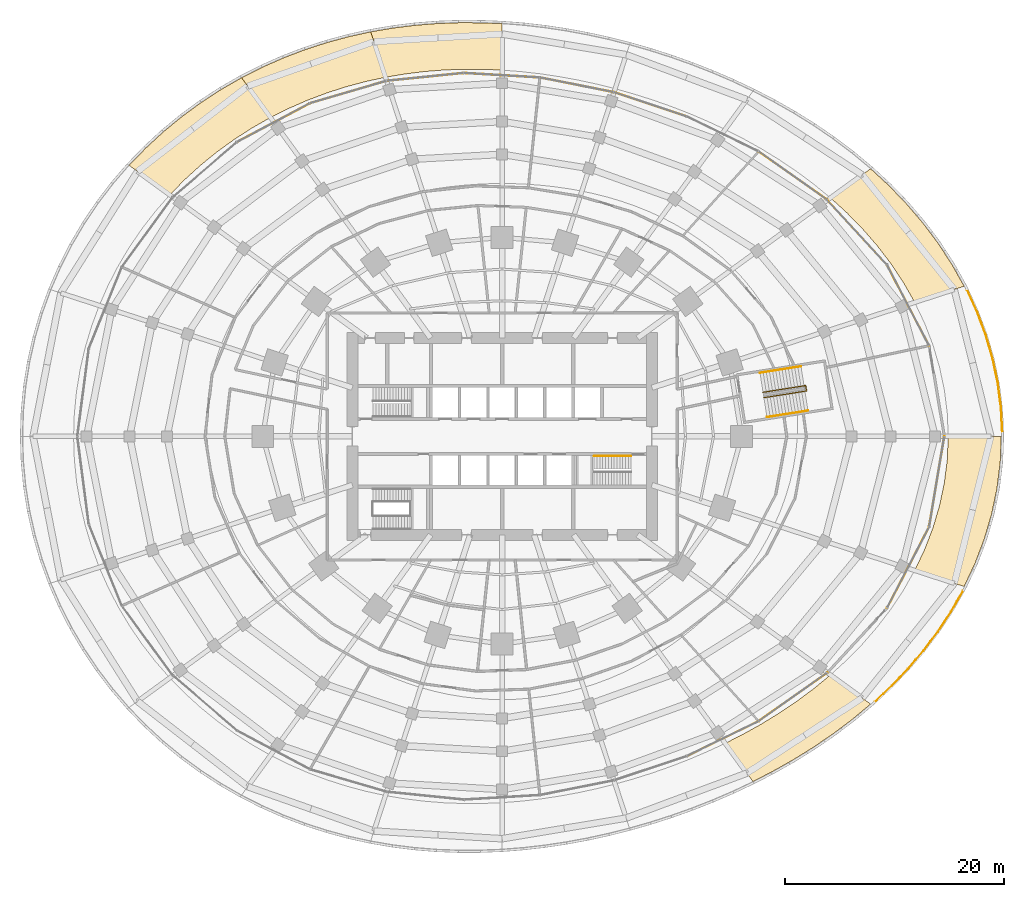
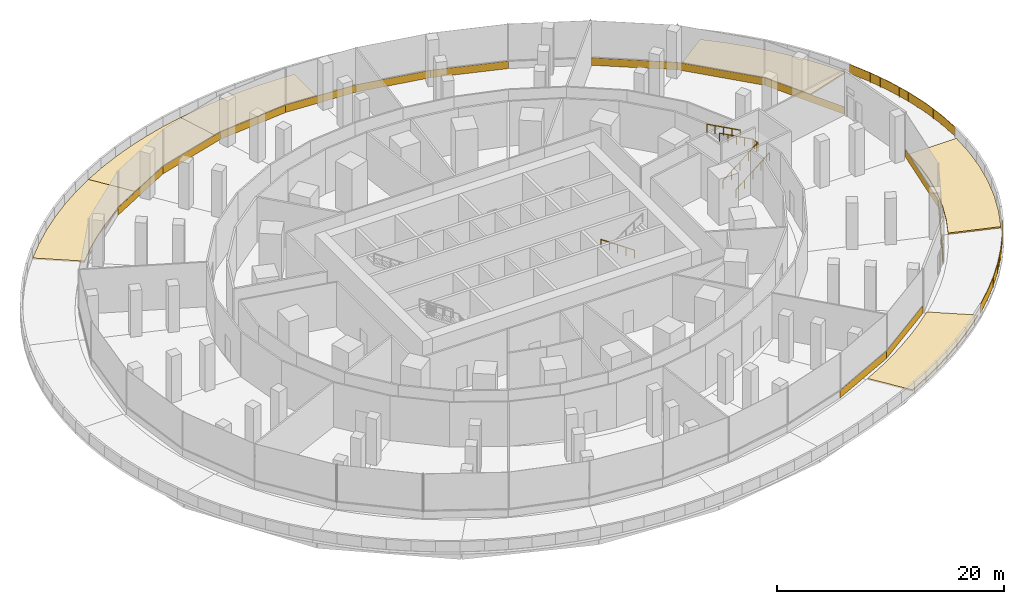
# One storey, part 30 of 31: 19 coverings, 6 railings.
"""IFC4 building model written with IfcOpenShell, lengths in metres."""

from ifc_helpers import new_model, si_unit, direction, frame, origin, origin_2d, place, context, subcontext, project, spatial, polyline, rectangle, circle, outline, extrude, material, layer, layer_set, type_object, element, save


model = new_model("IFC4")

# Units and contexts
model_context = context("Model", 3, precision=1e-05, world=origin(), true_north=direction((0.0, 1.0)))
body_context = subcontext(model_context, "Body", "Model", "MODEL_VIEW")
ifc_project = project(units=[si_unit("LENGTHUNIT", "METRE"), si_unit("AREAUNIT", "SQUARE_METRE"), si_unit("VOLUMEUNIT", "CUBIC_METRE"), si_unit("PLANEANGLEUNIT", "RADIAN"), si_unit("MASSUNIT", "GRAM", prefix="KILO")], contexts=[model_context])

# Site, building, storey
site_placement = place(None, origin())
site = spatial("IfcSite", under=ifc_project, at=site_placement, CompositionType="ELEMENT")
building_placement = place(site_placement, origin())
building = spatial("IfcBuilding", under=site, at=building_placement, Name="Marramba Exchange Tower", CompositionType="ELEMENT")
storey_placement = place(building_placement, frame((0.0, 0.0, 5.60009765625)))
storey = spatial("IfcBuildingStorey", under=building, at=storey_placement, Name="L01", CompositionType="ELEMENT", Elevation=5.60009765625)

# Coverings
ifc_material_1 = material(Name="Extensive green roof: growing medium on drainage cell, filter fabric and root-barrier membrane")
ifc_layer_1 = layer(ifc_material_1, 0.14990234375)
ifc_layer_set_1 = layer_set([ifc_layer_1], Name="Planted roof build-up 150")
covering_type_1 = type_object("IfcCoveringType", Name="Planted roof build-up 150", PredefinedType="ROOFING", material=ifc_layer_set_1)
covering_1_placement = place(storey_placement, origin())
element("IfcCovering", 1, at=covering_1_placement, inside=storey, type_object=covering_type_1, Name="Planted roof build-up L01 bay 02", PredefinedType="ROOFING", context=body_context, shape_type="SweptSolid", body=[
    extrude(outline(polyline([(37.730224609375, 12.25927734375), (36.692626953125, 14.0849609375), (35.53759765625, 15.822265625), (34.279541015625, 17.46630859375), (32.932861328125, 19.013671875), (31.511474609375, 20.463623046875), (30.028076171875, 21.816650390625), (33.698974609375, 24.483642578125), (35.35009765625, 22.956787109375), (36.93115234375, 21.322265625), (38.42724609375, 19.57958984375), (39.82373046875, 17.730712890625), (41.1044921875, 15.778564453125), (42.25439453125, 13.729248046875), (42.25439453125, 13.729248046875), (37.730224609375, 12.25927734375)])), origin(), (0.0, 0.0, 1.0), 0.14990234375),
])
covering_2_placement = place(storey_placement, origin())
element("IfcCovering", 2, at=covering_2_placement, inside=storey, type_object=covering_type_1, Name="Planted roof build-up L01 bay 06", PredefinedType="ROOFING", context=body_context, shape_type="SweptSolid", body=[
    extrude(outline(polyline([(0.0, 33.5), (-1.759521484375, 33.572509765625), (-3.529052734375, 33.5771484375), (-5.3076171875, 33.5107421875), (-7.0927734375, 33.369140625), (-8.88232421875, 33.1494140625), (-10.6728515625, 32.84765625), (-12.022216796875, 37.000732421875), (-10.0068359375, 37.345703125), (-7.99169921875, 37.597412109375), (-5.98046875, 37.759765625), (-3.976806640625, 37.83642578125), (-1.982666015625, 37.83203125), (0.0, 37.75), (0.0, 33.5)])), origin(), (0.0, 0.0, 1.0), 0.14990234375),
])
covering_3_placement = place(storey_placement, origin())
element("IfcCovering", 3, at=covering_3_placement, inside=storey, type_object=covering_type_1, Name="Planted roof build-up L01 bay 07", PredefinedType="ROOFING", context=body_context, shape_type="SweptSolid", body=[
    extrude(outline(polyline([(-10.6728515625, 32.84765625), (-12.46044921875, 32.460693359375), (-14.240966796875, 31.98583984375), (-16.009521484375, 31.420654296875), (-17.7607421875, 30.762451171875), (-19.489013671875, 30.01025390625), (-21.18798828125, 29.162841796875), (-23.833251953125, 32.8037109375), (-21.9287109375, 33.767333984375), (-19.98974609375, 34.623291015625), (-18.0234375, 35.372802734375), (-16.035888671875, 36.017333984375), (-14.03369140625, 36.55908203125), (-12.022216796875, 37.000732421875), (-12.022216796875, 37.000732421875), (-10.6728515625, 32.84765625)])), origin(), (0.0, 0.0, 1.0), 0.14990234375),
])
covering_4_placement = place(storey_placement, origin())
element("IfcCovering", 4, at=covering_4_placement, inside=storey, type_object=covering_type_1, Name="Planted roof build-up L01 bay 08", PredefinedType="ROOFING", context=body_context, shape_type="SweptSolid", body=[
    extrude(outline(polyline([(-21.18798828125, 29.162841796875), (-22.8515625, 28.219482421875), (-24.47314453125, 27.18017578125), (-26.0458984375, 26.0458984375), (-27.56298828125, 24.81787109375), (-29.01708984375, 23.49755859375), (-30.401611328125, 22.088134765625), (-34.12060546875, 24.7900390625), (-32.580078125, 26.3828125), (-30.95947265625, 27.876220703125), (-29.266845703125, 29.266845703125), (-27.510009765625, 30.552734375), (-25.696044921875, 31.732177734375), (-23.833251953125, 32.8037109375), (-23.833251953125, 32.8037109375), (-21.18798828125, 29.162841796875)])), origin(), (0.0, 0.0, 1.0), 0.14990234375),
])
covering_5_placement = place(storey_placement, origin())
element("IfcCovering", 5, at=covering_5_placement, inside=storey, type_object=covering_type_1, Name="Planted roof build-up L01 bay 18", PredefinedType="ROOFING", context=body_context, shape_type="SweptSolid", body=[
    extrude(outline(polyline([(20.39697265625, -28.073974609375), (22.051513671875, -27.231201171875), (23.69384765625, -26.314697265625), (25.319580078125, -25.319580078125), (26.92236328125, -24.240966796875), (28.494873046875, -23.07470703125), (30.028076171875, -21.816650390625), (33.698974609375, -24.483642578125), (33.698974609375, -24.483642578125), (31.990234375, -25.905029296875), (30.23583984375, -27.224365234375), (28.44580078125, -28.44580078125), (26.62841796875, -29.573974609375), (24.790771484375, -30.6142578125), (22.93798828125, -31.571533203125), (22.93798828125, -31.571533203125), (20.39697265625, -28.073974609375)])), origin(), (0.0, 0.0, 1.0), 0.14990234375),
])
covering_6_placement = place(storey_placement, origin())
element("IfcCovering", 6, at=covering_6_placement, inside=storey, type_object=covering_type_1, Name="Planted roof build-up L01 bay 20", PredefinedType="ROOFING", context=body_context, shape_type="SweptSolid", body=[
    extrude(outline(polyline([(37.730224609375, -12.25927734375), (38.636474609375, -10.3525390625), (39.398193359375, -8.374267578125), (40.003662109375, -6.3359375), (40.443603515625, -4.250732421875), (40.71044921875, -2.133544921875), (40.800048828125, 0.0), (45.64990234375, 0.0), (45.551025390625, -2.38720703125), (45.256103515625, -4.756591796875), (44.77001953125, -7.0908203125), (44.100341796875, -9.373779296875), (43.257568359375, -11.5908203125), (42.25439453125, -13.729248046875), (37.730224609375, -12.25927734375)])), origin(), (0.0, 0.0, 1.0), 0.14990234375),
])
ifc_material_2 = material(Name="Aluminium spandrel panel, bronze anodised, insulated", Category="aluminium")
ifc_layer_2 = layer(ifc_material_2, 0.050048828125)
ifc_layer_set_2 = layer_set([ifc_layer_2], Name="Spandrel panel 800")
covering_type_2 = type_object("IfcCoveringType", Name="Spandrel panel 800", PredefinedType="CLADDING", material=ifc_layer_set_2)
covering_7_placement = place(storey_placement, frame((37.13671875, 11.99072265625, 0.0), z_axis=(0.0, 0.0, 1.0), x_axis=(-0.461464477479, 0.88715868706, 0.0)))
element("IfcCovering", 7, at=covering_7_placement, inside=storey, type_object=covering_type_2, Name="Spandrel panel SP1 L01 F02", PredefinedType="CLADDING", context=body_context, shape_type="SweptSolid", body=[
    extrude(rectangle(XDim=8.31689453125, YDim=0.050048828125, at=origin_2d()), origin(), (0.0, 0.0, 1.0), 0.800048828125),
])
covering_8_placement = place(storey_placement, frame((32.4814453125, 18.6455078125, 0.0), z_axis=(0.0, 0.0, 1.0), x_axis=(-0.678147150931, 0.734926147096, 0.0)))
element("IfcCovering", 8, at=covering_8_placement, inside=storey, type_object=covering_type_2, Name="Spandrel panel SP1 L01 F03", PredefinedType="CLADDING", context=body_context, shape_type="SweptSolid", body=[
    extrude(rectangle(XDim=8.0703125, YDim=0.050048828125, at=origin_2d()), origin(), (0.0, 0.0, 1.0), 0.800048828125),
])
covering_9_placement = place(storey_placement, frame((26.602294921875, 23.832763671875, 0.0), z_axis=(0.0, 0.0, 1.0), x_axis=(-0.816552741188, 0.577270838393, 0.0)))
element("IfcCovering", 9, at=covering_9_placement, inside=storey, type_object=covering_type_2, Name="Spandrel panel SP1 L01 F04", PredefinedType="CLADDING", context=body_context, shape_type="SweptSolid", body=[
    extrude(rectangle(XDim=7.697509765625, YDim=0.050048828125, at=origin_2d()), origin(), (0.0, 0.0, 1.0), 0.800048828125),
])
covering_10_placement = place(storey_placement, frame((13.55712890625, 30.36083984375, 0.0), z_axis=(0.0, 0.0, 1.0), x_axis=(-0.948934100203, 0.315474362621, 0.0)))
element("IfcCovering", 10, at=covering_10_placement, inside=storey, type_object=covering_type_2, Name="Spandrel panel SP1 L01 F06", PredefinedType="CLADDING", context=body_context, shape_type="SweptSolid", body=[
    extrude(rectangle(XDim=7.023193359375, YDim=0.050048828125, at=origin_2d()), origin(), (0.0, 0.0, 1.0), 0.800048828125),
])
covering_11_placement = place(storey_placement, frame((6.8369140625, 32.142578125, 0.0), z_axis=(0.0, 0.0, 1.0), x_axis=(-0.980779440443, 0.195119679183, 0.0)))
element("IfcCovering", 11, at=covering_11_placement, inside=storey, type_object=covering_type_2, Name="Spandrel panel SP1 L01 F07", PredefinedType="CLADDING", context=body_context, shape_type="SweptSolid", body=[
    extrude(rectangle(XDim=6.908447265625, YDim=0.050048828125, at=origin_2d()), origin(), (0.0, 0.0, 1.0), 0.800048828125),
])
covering_12_placement = place(storey_placement, frame((-0.021728515625, 33.02294921875, 0.0), z_axis=(0.0, 0.0, 1.0), x_axis=(-0.998239184038, 0.059317210412, 0.0)))
element("IfcCovering", 12, at=covering_12_placement, inside=storey, type_object=covering_type_2, Name="Spandrel panel SP1 L01 F08", PredefinedType="CLADDING", context=body_context, shape_type="SweptSolid", body=[
    extrude(rectangle(XDim=6.953857421875, YDim=0.050048828125, at=origin_2d()), origin(), (0.0, 0.0, 1.0), 0.800048828125),
])
covering_13_placement = place(storey_placement, frame((-7.028564453125, 32.871826171875, 0.0), z_axis=(0.0, 0.0, 1.0), x_axis=(-0.994936466156, -0.100505862083, 0.0)))
element("IfcCovering", 13, at=covering_13_placement, inside=storey, type_object=covering_type_2, Name="Spandrel panel SP1 L01 F09", PredefinedType="CLADDING", context=body_context, shape_type="SweptSolid", body=[
    extrude(rectangle(XDim=7.108154296875, YDim=0.050048828125, at=origin_2d()), origin(), (0.0, 0.0, 1.0), 0.800048828125),
])
covering_14_placement = place(storey_placement, frame((-14.0751953125, 31.487060546875, 0.0), z_axis=(0.0, 0.0, 1.0), x_axis=(-0.959725288958, -0.280940153297, 0.0)))
element("IfcCovering", 14, at=covering_14_placement, inside=storey, type_object=covering_type_2, Name="Spandrel panel SP1 L01 F10", PredefinedType="CLADDING", context=body_context, shape_type="SweptSolid", body=[
    extrude(rectangle(XDim=7.315673828125, YDim=0.050048828125, at=origin_2d()), origin(), (0.0, 0.0, 1.0), 0.800048828125),
])
covering_15_placement = place(storey_placement, frame((-20.912353515625, 28.689697265625, 0.0), z_axis=(0.0, 0.0, 1.0), x_axis=(-0.882850649292, -0.469653841722, 0.0)))
element("IfcCovering", 15, at=covering_15_placement, inside=storey, type_object=covering_type_2, Name="Spandrel panel SP1 L01 F11", PredefinedType="CLADDING", context=body_context, shape_type="SweptSolid", body=[
    extrude(rectangle(XDim=7.5361328125, YDim=0.050048828125, at=origin_2d()), origin(), (0.0, 0.0, 1.0), 0.800048828125),
])
covering_16_placement = place(storey_placement, frame((20.17431640625, -27.65380859375, 0.0), z_axis=(0.0, 0.0, 1.0), x_axis=(0.89911990699, 0.437702402157, 0.0)))
element("IfcCovering", 16, at=covering_16_placement, inside=storey, type_object=covering_type_2, Name="Spandrel panel SP1 L01 F26", PredefinedType="CLADDING", context=body_context, shape_type="SweptSolid", body=[
    extrude(rectangle(XDim=7.3076171875, YDim=0.050048828125, at=origin_2d()), origin(), (0.0, 0.0, 1.0), 0.800048828125),
])
covering_17_placement = place(storey_placement, frame((26.602294921875, -23.832763671875, 0.0), z_axis=(0.0, 0.0, 1.0), x_axis=(0.816552741188, 0.577270838393, 0.0)))
element("IfcCovering", 17, at=covering_17_placement, inside=storey, type_object=covering_type_2, Name="Spandrel panel SP1 L01 F27", PredefinedType="CLADDING", context=body_context, shape_type="SweptSolid", body=[
    extrude(rectangle(XDim=7.697509765625, YDim=0.050048828125, at=origin_2d()), origin(), (0.0, 0.0, 1.0), 0.800048828125),
])
covering_18_placement = place(storey_placement, frame((37.13671875, -11.99072265625, 0.0), z_axis=(0.0, 0.0, 1.0), x_axis=(0.461464477479, 0.88715868706, 0.0)))
element("IfcCovering", 18, at=covering_18_placement, inside=storey, type_object=covering_type_2, Name="Spandrel panel SP1 L01 F29", PredefinedType="CLADDING", context=body_context, shape_type="SweptSolid", body=[
    extrude(rectangle(XDim=8.31689453125, YDim=0.050048828125, at=origin_2d()), origin(), (0.0, 0.0, 1.0), 0.800048828125),
])
covering_19_placement = place(storey_placement, frame((39.7529296875, -4.15087890625, 0.0), z_axis=(0.0, 0.0, 1.0), x_axis=(0.165628289185, 0.98618825273, 0.0)))
element("IfcCovering", 19, at=covering_19_placement, inside=storey, type_object=covering_type_2, Name="Spandrel panel SP1 L01 F30", PredefinedType="CLADDING", context=body_context, shape_type="SweptSolid", body=[
    extrude(rectangle(XDim=8.417724609375, YDim=0.050048828125, at=origin_2d()), origin(), (0.0, 0.0, 1.0), 0.800048828125),
])

# Railings
ifc_material_3 = material(Name="Stainless steel handrail", Category="steel")
railing_type_1 = type_object("IfcRailingType", Name="Stair handrail 900", PredefinedType="HANDRAIL", material=ifc_material_3)
railing_1_placement = place(storey_placement, frame((11.800048828125, -1.800048828125, 0.178466796875)))
element("IfcRailing", 20, at=railing_1_placement, inside=storey, type_object=railing_type_1, Name="Handrail HR1 ST2 L01 flight 1", PredefinedType="HANDRAIL", context=body_context, shape_type="SweptSolid", body=[
    extrude(circle(Radius=0.02392578125, at=origin_2d()), frame((0.0, 0.0, 0.8759765625), z_axis=(-0.824304150675, 0.0, 0.566147213346), x_axis=(0.0, -1.0, 0.0)), (0.0, 0.0, 1.0), 4.1005859375),
    extrude(circle(Radius=0.02099609375, at=origin_2d()), origin(), (0.0, 0.0, 1.0), 0.851806640625),
    extrude(circle(Radius=0.02099609375, at=origin_2d()), frame((-0.844970703125, 0.0, 0.580322265625)), (0.0, 0.0, 1.0), 0.851806640625),
    extrude(circle(Radius=0.02099609375, at=origin_2d()), frame((-1.68994140625, 0.0, 1.16064453125)), (0.0, 0.0, 1.0), 0.851806640625),
    extrude(circle(Radius=0.02099609375, at=origin_2d()), frame((-2.53515625, 0.0, 1.7412109375)), (0.0, 0.0, 1.0), 0.851806640625),
    extrude(circle(Radius=0.02099609375, at=origin_2d()), frame((-3.380126953125, 0.0, 2.321533203125)), (0.0, 0.0, 1.0), 0.851806640625),
])
railing_2_placement = place(storey_placement, frame((24.22265625, 1.760986328125, 0.178466796875)))
element("IfcRailing", 21, at=railing_2_placement, inside=storey, type_object=railing_type_1, Name="Handrail HR1 ST4 L01 flight 1 right", PredefinedType="HANDRAIL", context=body_context, shape_type="SweptSolid", body=[
    extrude(circle(Radius=0.02392578125, at=origin_2d()), frame((0.0, 0.0, 0.8759765625), z_axis=(0.842605169372, 0.133438547367, 0.521738136065), x_axis=(-0.156415024559, 0.987691419469, 0.0)), (0.0, 0.0, 1.0), 4.44970703125),
    extrude(circle(Radius=0.02099609375, at=origin_2d()), origin(), (0.0, 0.0, 1.0), 0.851806640625),
    extrude(circle(Radius=0.02099609375, at=origin_2d()), frame((0.937255859375, 0.1484375, 0.580322265625)), (0.0, 0.0, 1.0), 0.851806640625),
    extrude(circle(Radius=0.02099609375, at=origin_2d()), frame((1.87451171875, 0.296875, 1.16064453125)), (0.0, 0.0, 1.0), 0.851806640625),
    extrude(circle(Radius=0.02099609375, at=origin_2d()), frame((2.81201171875, 0.4453125, 1.7412109375)), (0.0, 0.0, 1.0), 0.851806640625),
    extrude(circle(Radius=0.02099609375, at=origin_2d()), frame((3.749267578125, 0.59375, 2.321533203125)), (0.0, 0.0, 1.0), 0.851806640625),
])
railing_3_placement = place(storey_placement, frame((27.33056640625, 6.404296875, 2.678466796875)))
element("IfcRailing", 22, at=railing_3_placement, inside=storey, type_object=railing_type_1, Name="Handrail HR1 ST4 L01 flight 2 right", PredefinedType="HANDRAIL", context=body_context, shape_type="SweptSolid", body=[
    extrude(circle(Radius=0.02392578125, at=origin_2d()), frame((0.0, 0.0, 0.8759765625), z_axis=(-0.842605169372, -0.133438547367, 0.521738136065), x_axis=(0.156415024559, -0.987691419469, 0.0)), (0.0, 0.0, 1.0), 4.44970703125),
    extrude(circle(Radius=0.02099609375, at=origin_2d()), origin(), (0.0, 0.0, 1.0), 0.851806640625),
    extrude(circle(Radius=0.02099609375, at=origin_2d()), frame((-0.937255859375, -0.1484375, 0.580322265625)), (0.0, 0.0, 1.0), 0.851806640625),
    extrude(circle(Radius=0.02099609375, at=origin_2d()), frame((-1.87451171875, -0.296875, 1.16064453125)), (0.0, 0.0, 1.0), 0.851806640625),
    extrude(circle(Radius=0.02099609375, at=origin_2d()), frame((-2.81201171875, -0.4453125, 1.7412109375)), (0.0, 0.0, 1.0), 0.851806640625),
    extrude(circle(Radius=0.02099609375, at=origin_2d()), frame((-3.749267578125, -0.59375, 2.321533203125)), (0.0, 0.0, 1.0), 0.851806640625),
])
railing_4_placement = place(storey_placement, frame((23.941162109375, 3.538818359375, 0.178466796875)))
element("IfcRailing", 23, at=railing_4_placement, inside=storey, type_object=railing_type_1, Name="Handrail HR1 ST4 L01 inner, continuous", PredefinedType="HANDRAIL", context=body_context, shape_type="SweptSolid", body=[
    extrude(circle(Radius=0.02392578125, at=origin_2d()), frame((0.0, 0.0, 0.8759765625), z_axis=(0.842605169372, 0.133438547367, 0.521738136065), x_axis=(-0.156415024559, 0.987691419469, 0.0)), (0.0, 0.0, 1.0), 4.44970703125),
    extrude(circle(Radius=0.02392578125, at=origin_2d()), frame((3.749267578125, 0.59375, 3.197265625), z_axis=(0.98772335246, 0.156213248494, 0.0), x_axis=(-0.156213248494, 0.98772335246, 0.0)), (0.0, 0.0, 1.0), 0.150146484375),
    extrude(circle(Radius=0.02392578125, at=origin_2d()), frame((3.8974609375, 0.6171875, 3.197265625), z_axis=(-0.156714631825, 0.987643925801, 0.0), x_axis=(-0.987643925801, -0.156714631825, 0.0)), (0.0, 0.0, 1.0), 0.5),
    extrude(circle(Radius=0.02392578125, at=origin_2d()), frame((3.819091796875, 1.111083984375, 3.197265625), z_axis=(-0.634977028046, -0.100590420285, 0.765954137792), x_axis=(0.156464720495, -0.987683548127, 0.0)), (0.0, 0.0, 1.0), 0.23291015625),
    extrude(circle(Radius=0.02392578125, at=origin_2d()), frame((3.671142578125, 1.087646484375, 3.3759765625), z_axis=(-0.842605169372, -0.133438547367, 0.521738136065), x_axis=(0.156415024559, -0.987691419469, 0.0)), (0.0, 0.0, 1.0), 4.44970703125),
    extrude(circle(Radius=0.02099609375, at=origin_2d()), origin(), (0.0, 0.0, 1.0), 0.851806640625),
    extrude(circle(Radius=0.02099609375, at=origin_2d()), frame((0.937255859375, 0.1484375, 0.580322265625)), (0.0, 0.0, 1.0), 0.851806640625),
    extrude(circle(Radius=0.02099609375, at=origin_2d()), frame((1.87451171875, 0.296875, 1.16064453125)), (0.0, 0.0, 1.0), 0.851806640625),
    extrude(circle(Radius=0.02099609375, at=origin_2d()), frame((2.81201171875, 0.4453125, 1.7412109375)), (0.0, 0.0, 1.0), 0.851806640625),
    extrude(circle(Radius=0.02099609375, at=origin_2d()), frame((3.749267578125, 0.59375, 2.321533203125)), (0.0, 0.0, 1.0), 0.851806640625),
    extrude(circle(Radius=0.02099609375, at=origin_2d()), frame((3.8974609375, 0.6171875, 2.321533203125)), (0.0, 0.0, 1.0), 0.851806640625),
    extrude(circle(Radius=0.02099609375, at=origin_2d()), frame((3.819091796875, 1.111083984375, 2.321533203125)), (0.0, 0.0, 1.0), 0.851806640625),
    extrude(circle(Radius=0.02099609375, at=origin_2d()), frame((3.671142578125, 1.087646484375, 2.5)), (0.0, 0.0, 1.0), 0.851806640625),
    extrude(circle(Radius=0.02099609375, at=origin_2d()), frame((2.73388671875, 0.939208984375, 3.080322265625)), (0.0, 0.0, 1.0), 0.851806640625),
    extrude(circle(Radius=0.02099609375, at=origin_2d()), frame((1.79638671875, 0.790771484375, 3.66064453125)), (0.0, 0.0, 1.0), 0.851806640625),
    extrude(circle(Radius=0.02099609375, at=origin_2d()), frame((0.859130859375, 0.642333984375, 4.2412109375)), (0.0, 0.0, 1.0), 0.851806640625),
    extrude(circle(Radius=0.02099609375, at=origin_2d()), frame((-0.078125, 0.493896484375, 4.821533203125)), (0.0, 0.0, 1.0), 0.851806640625),
])
ifc_material_4 = material(Name="Bronze anodised aluminium and laminated glass guard", Category="aluminium")
railing_type_2 = type_object("IfcRailingType", Name="Terrace guard 1100", PredefinedType="GUARDRAIL", material=ifc_material_4)
railing_5_placement = place(storey_placement, frame((45.747314453125, 0.398681640625, 0.0)))
element("IfcRailing", 24, at=railing_5_placement, inside=storey, type_object=railing_type_2, Name="Terrace guard GR1 L01 bay 01", PredefinedType="GUARDRAIL", context=body_context, shape_type="SweptSolid", body=[
    extrude(circle(Radius=0.02392578125, at=origin_2d()), frame((0.0, 0.0, 1.076171875), z_axis=(-0.052831017547, 0.99860346664, 0.0), x_axis=(-0.99860346664, -0.052831017547, 0.0)), (0.0, 0.0, 1.0), 2.259765625),
    extrude(circle(Radius=0.02392578125, at=origin_2d()), frame((-0.119384765625, 2.256591796875, 1.076171875), z_axis=(-0.130060172441, 0.991506102626, 0.0), x_axis=(-0.991506102626, -0.130060172441, 0.0)), (0.0, 0.0, 1.0), 2.25830078125),
    extrude(circle(Radius=0.02392578125, at=origin_2d()), frame((-0.4130859375, 4.49560546875, 1.076171875), z_axis=(-0.205786793434, 0.978596850418, 0.0), x_axis=(-0.978596850418, -0.205786793434, 0.0)), (0.0, 0.0, 1.0), 2.25537109375),
    extrude(circle(Radius=0.02392578125, at=origin_2d()), frame((-0.877197265625, 6.70263671875, 1.076171875), z_axis=(-0.279016742243, 0.9602862373, 0.0), x_axis=(-0.9602862373, -0.279016742243, 0.0)), (0.0, 0.0, 1.0), 2.25048828125),
    extrude(circle(Radius=0.02392578125, at=origin_2d()), frame((-1.505126953125, 8.86376953125, 1.076171875), z_axis=(-0.34880927573, 0.937193730861, 0.0), x_axis=(-0.937193730861, -0.34880927573, 0.0)), (0.0, 0.0, 1.0), 2.243896484375),
    extrude(circle(Radius=0.02392578125, at=origin_2d()), frame((-2.287841796875, 10.966796875, 1.076171875), z_axis=(-0.414864031167, 0.90988341871, 0.0), x_axis=(-0.90988341871, -0.414864031167, 0.0)), (0.0, 0.0, 1.0), 2.235595703125),
    extrude(circle(Radius=0.02099609375, at=origin_2d()), origin(), (0.0, 0.0, 1.0), 1.052001953125),
    extrude(circle(Radius=0.02099609375, at=origin_2d()), frame((-0.0595703125, 1.12841796875, 0.0)), (0.0, 0.0, 1.0), 1.052001953125),
    extrude(circle(Radius=0.02099609375, at=origin_2d()), frame((-0.119384765625, 2.256591796875, 0.0)), (0.0, 0.0, 1.0), 1.052001953125),
    extrude(circle(Radius=0.02099609375, at=origin_2d()), frame((-0.26611328125, 3.3759765625, 0.0)), (0.0, 0.0, 1.0), 1.052001953125),
    extrude(circle(Radius=0.02099609375, at=origin_2d()), frame((-0.4130859375, 4.49560546875, 0.0)), (0.0, 0.0, 1.0), 1.052001953125),
    extrude(circle(Radius=0.02099609375, at=origin_2d()), frame((-0.64501953125, 5.59912109375, 0.0)), (0.0, 0.0, 1.0), 1.052001953125),
    extrude(circle(Radius=0.02099609375, at=origin_2d()), frame((-0.877197265625, 6.70263671875, 0.0)), (0.0, 0.0, 1.0), 1.052001953125),
    extrude(circle(Radius=0.02099609375, at=origin_2d()), frame((-1.191162109375, 7.783203125, 0.0)), (0.0, 0.0, 1.0), 1.052001953125),
    extrude(circle(Radius=0.02099609375, at=origin_2d()), frame((-1.505126953125, 8.86376953125, 0.0)), (0.0, 0.0, 1.0), 1.052001953125),
    extrude(circle(Radius=0.02099609375, at=origin_2d()), frame((-1.896484375, 9.915283203125, 0.0)), (0.0, 0.0, 1.0), 1.052001953125),
    extrude(circle(Radius=0.02099609375, at=origin_2d()), frame((-2.287841796875, 10.966796875, 0.0)), (0.0, 0.0, 1.0), 1.052001953125),
    extrude(circle(Radius=0.02099609375, at=origin_2d()), frame((-2.75146484375, 11.98388671875, 0.0)), (0.0, 0.0, 1.0), 1.052001953125),
    extrude(circle(Radius=0.02099609375, at=origin_2d()), frame((-3.21533203125, 13.0009765625, 0.0)), (0.0, 0.0, 1.0), 1.052001953125),
    extrude(rectangle(XDim=1.11181640625, YDim=0.02001953125, at=origin_2d()), frame((-0.02978515625, 0.564208984375, 0.10009765625), z_axis=(0.0, 0.0, 1.0), x_axis=(-0.052831017547, 0.99860346664, 0.0)), (0.0, 0.0, 1.0), 0.951904296875),
    extrude(rectangle(XDim=1.11181640625, YDim=0.02001953125, at=origin_2d()), frame((-0.089599609375, 1.6923828125, 0.10009765625), z_axis=(0.0, 0.0, 1.0), x_axis=(-0.052831017547, 0.99860346664, 0.0)), (0.0, 0.0, 1.0), 0.951904296875),
    extrude(rectangle(XDim=1.111083984375, YDim=0.02001953125, at=origin_2d()), frame((-0.19287109375, 2.81640625, 0.10009765625), z_axis=(0.0, 0.0, 1.0), x_axis=(-0.130060172441, 0.991506102626, 0.0)), (0.0, 0.0, 1.0), 0.951904296875),
    extrude(rectangle(XDim=1.111083984375, YDim=0.02001953125, at=origin_2d()), frame((-0.339599609375, 3.935791015625, 0.10009765625), z_axis=(0.0, 0.0, 1.0), x_axis=(-0.130060172441, 0.991506102626, 0.0)), (0.0, 0.0, 1.0), 0.951904296875),
    extrude(rectangle(XDim=1.109619140625, YDim=0.02001953125, at=origin_2d()), frame((-0.529052734375, 5.04736328125, 0.10009765625), z_axis=(0.0, 0.0, 1.0), x_axis=(-0.205786793434, 0.978596850418, 0.0)), (0.0, 0.0, 1.0), 0.951904296875),
    extrude(rectangle(XDim=1.109619140625, YDim=0.02001953125, at=origin_2d()), frame((-0.76123046875, 6.15087890625, 0.10009765625), z_axis=(0.0, 0.0, 1.0), x_axis=(-0.205786793434, 0.978596850418, 0.0)), (0.0, 0.0, 1.0), 0.951904296875),
    extrude(rectangle(XDim=1.107177734375, YDim=0.02001953125, at=origin_2d()), frame((-1.0341796875, 7.242919921875, 0.10009765625), z_axis=(0.0, 0.0, 1.0), x_axis=(-0.279016742243, 0.9602862373, 0.0)), (0.0, 0.0, 1.0), 0.951904296875),
    extrude(rectangle(XDim=1.107177734375, YDim=0.02001953125, at=origin_2d()), frame((-1.34814453125, 8.323486328125, 0.10009765625), z_axis=(0.0, 0.0, 1.0), x_axis=(-0.279016742243, 0.9602862373, 0.0)), (0.0, 0.0, 1.0), 0.951904296875),
    extrude(rectangle(XDim=1.10400390625, YDim=0.02001953125, at=origin_2d()), frame((-1.70068359375, 9.3896484375, 0.10009765625), z_axis=(0.0, 0.0, 1.0), x_axis=(-0.34880927573, 0.937193730861, 0.0)), (0.0, 0.0, 1.0), 0.951904296875),
    extrude(rectangle(XDim=1.10400390625, YDim=0.02001953125, at=origin_2d()), frame((-2.09228515625, 10.44091796875, 0.10009765625), z_axis=(0.0, 0.0, 1.0), x_axis=(-0.34880927573, 0.937193730861, 0.0)), (0.0, 0.0, 1.0), 0.951904296875),
    extrude(rectangle(XDim=1.099853515625, YDim=0.02001953125, at=origin_2d()), frame((-2.519775390625, 11.475341796875, 0.10009765625), z_axis=(0.0, 0.0, 1.0), x_axis=(-0.414864031167, 0.90988341871, 0.0)), (0.0, 0.0, 1.0), 0.951904296875),
    extrude(rectangle(XDim=1.099853515625, YDim=0.02001953125, at=origin_2d()), frame((-2.9833984375, 12.492431640625, 0.10009765625), z_axis=(0.0, 0.0, 1.0), x_axis=(-0.414864031167, 0.90988341871, 0.0)), (0.0, 0.0, 1.0), 0.951904296875),
])
railing_6_placement = place(storey_placement, frame((34.0859375, -24.271240234375, 0.0)))
element("IfcRailing", 25, at=railing_6_placement, inside=storey, type_object=railing_type_2, Name="Terrace guard GR1 L01 bay 19", PredefinedType="GUARDRAIL", context=body_context, shape_type="SweptSolid", body=[
    extrude(circle(Radius=0.02392578125, at=origin_2d()), frame((0.0, 0.0, 1.076171875), z_axis=(0.728206737742, 0.685357532319, 0.0), x_axis=(-0.685357532319, 0.728206737742, 0.0)), (0.0, 0.0, 1.0), 2.125244140625),
    extrude(circle(Radius=0.02392578125, at=origin_2d()), frame((1.547607421875, 1.45654296875, 1.076171875), z_axis=(0.69100833119, 0.722846793052, 0.0), x_axis=(-0.722846793052, 0.69100833119, 0.0)), (0.0, 0.0, 1.0), 2.14697265625),
    extrude(circle(Radius=0.02392578125, at=origin_2d()), frame((3.03125, 3.008544921875, 1.076171875), z_axis=(0.64950077746, 0.760360927507, 0.0), x_axis=(-0.760360927507, 0.64950077746, 0.0)), (0.0, 0.0, 1.0), 2.1669921875),
    extrude(circle(Radius=0.02392578125, at=origin_2d()), frame((4.438720703125, 4.65625, 1.076171875), z_axis=(0.603515626048, 0.797351170512, 0.0), x_axis=(-0.797351170512, 0.603515626048, 0.0)), (0.0, 0.0, 1.0), 2.185302734375),
    extrude(circle(Radius=0.02392578125, at=origin_2d()), frame((5.757568359375, 6.398681640625, 1.076171875), z_axis=(0.552906860637, 0.833243063854, 0.0), x_axis=(-0.833243063854, 0.552906860637, 0.0)), (0.0, 0.0, 1.0), 2.20068359375),
    extrude(circle(Radius=0.02392578125, at=origin_2d()), frame((6.974365234375, 8.232421875, 1.076171875), z_axis=(0.497717041451, 0.867339464483, 0.0), x_axis=(-0.867339464483, 0.497717041451, 0.0)), (0.0, 0.0, 1.0), 2.214599609375),
    extrude(circle(Radius=0.02099609375, at=origin_2d()), origin(), (0.0, 0.0, 1.0), 1.052001953125),
    extrude(circle(Radius=0.02099609375, at=origin_2d()), frame((0.77392578125, 0.728271484375, 0.0)), (0.0, 0.0, 1.0), 1.052001953125),
    extrude(circle(Radius=0.02099609375, at=origin_2d()), frame((1.547607421875, 1.45654296875, 0.0)), (0.0, 0.0, 1.0), 1.052001953125),
    extrude(circle(Radius=0.02099609375, at=origin_2d()), frame((2.28955078125, 2.232421875, 0.0)), (0.0, 0.0, 1.0), 1.052001953125),
    extrude(circle(Radius=0.02099609375, at=origin_2d()), frame((3.03125, 3.008544921875, 0.0)), (0.0, 0.0, 1.0), 1.052001953125),
    extrude(circle(Radius=0.02099609375, at=origin_2d()), frame((3.73486328125, 3.83251953125, 0.0)), (0.0, 0.0, 1.0), 1.052001953125),
    extrude(circle(Radius=0.02099609375, at=origin_2d()), frame((4.438720703125, 4.65625, 0.0)), (0.0, 0.0, 1.0), 1.052001953125),
    extrude(circle(Radius=0.02099609375, at=origin_2d()), frame((5.09814453125, 5.52734375, 0.0)), (0.0, 0.0, 1.0), 1.052001953125),
    extrude(circle(Radius=0.02099609375, at=origin_2d()), frame((5.757568359375, 6.398681640625, 0.0)), (0.0, 0.0, 1.0), 1.052001953125),
    extrude(circle(Radius=0.02099609375, at=origin_2d()), frame((6.365966796875, 7.3154296875, 0.0)), (0.0, 0.0, 1.0), 1.052001953125),
    extrude(circle(Radius=0.02099609375, at=origin_2d()), frame((6.974365234375, 8.232421875, 0.0)), (0.0, 0.0, 1.0), 1.052001953125),
    extrude(circle(Radius=0.02099609375, at=origin_2d()), frame((7.525390625, 9.19287109375, 0.0)), (0.0, 0.0, 1.0), 1.052001953125),
    extrude(circle(Radius=0.02099609375, at=origin_2d()), frame((8.07666015625, 10.1533203125, 0.0)), (0.0, 0.0, 1.0), 1.052001953125),
    extrude(rectangle(XDim=1.044677734375, YDim=0.02001953125, at=origin_2d()), frame((0.386962890625, 0.3642578125, 0.10009765625), z_axis=(0.0, 0.0, 1.0), x_axis=(0.728206737742, 0.685357532319, 0.0)), (0.0, 0.0, 1.0), 0.951904296875),
    extrude(rectangle(XDim=1.044677734375, YDim=0.02001953125, at=origin_2d()), frame((1.16064453125, 1.09228515625, 0.10009765625), z_axis=(0.0, 0.0, 1.0), x_axis=(0.728206737742, 0.685357532319, 0.0)), (0.0, 0.0, 1.0), 0.951904296875),
    extrude(rectangle(XDim=1.0556640625, YDim=0.02001953125, at=origin_2d()), frame((1.91845703125, 1.844482421875, 0.10009765625), z_axis=(0.0, 0.0, 1.0), x_axis=(0.69100833119, 0.722846793052, 0.0)), (0.0, 0.0, 1.0), 0.951904296875),
    extrude(rectangle(XDim=1.0556640625, YDim=0.02001953125, at=origin_2d()), frame((2.660400390625, 2.62060546875, 0.10009765625), z_axis=(0.0, 0.0, 1.0), x_axis=(0.69100833119, 0.722846793052, 0.0)), (0.0, 0.0, 1.0), 0.951904296875),
    extrude(rectangle(XDim=1.0654296875, YDim=0.02001953125, at=origin_2d()), frame((3.383056640625, 3.42041015625, 0.10009765625), z_axis=(0.0, 0.0, 1.0), x_axis=(0.64950077746, 0.760360927507, 0.0)), (0.0, 0.0, 1.0), 0.951904296875),
    extrude(rectangle(XDim=1.0654296875, YDim=0.02001953125, at=origin_2d()), frame((4.0869140625, 4.244384765625, 0.10009765625), z_axis=(0.0, 0.0, 1.0), x_axis=(0.64950077746, 0.760360927507, 0.0)), (0.0, 0.0, 1.0), 0.951904296875),
    extrude(rectangle(XDim=1.07470703125, YDim=0.02001953125, at=origin_2d()), frame((4.7685546875, 5.091796875, 0.10009765625), z_axis=(0.0, 0.0, 1.0), x_axis=(0.603515626048, 0.797351170512, 0.0)), (0.0, 0.0, 1.0), 0.951904296875),
    extrude(rectangle(XDim=1.07470703125, YDim=0.02001953125, at=origin_2d()), frame((5.427734375, 5.963134765625, 0.10009765625), z_axis=(0.0, 0.0, 1.0), x_axis=(0.603515626048, 0.797351170512, 0.0)), (0.0, 0.0, 1.0), 0.951904296875),
    extrude(rectangle(XDim=1.082275390625, YDim=0.02001953125, at=origin_2d()), frame((6.061767578125, 6.857177734375, 0.10009765625), z_axis=(0.0, 0.0, 1.0), x_axis=(0.552906860637, 0.833243063854, 0.0)), (0.0, 0.0, 1.0), 0.951904296875),
    extrude(rectangle(XDim=1.082275390625, YDim=0.02001953125, at=origin_2d()), frame((6.670166015625, 7.77392578125, 0.10009765625), z_axis=(0.0, 0.0, 1.0), x_axis=(0.552906860637, 0.833243063854, 0.0)), (0.0, 0.0, 1.0), 0.951904296875),
    extrude(rectangle(XDim=1.08935546875, YDim=0.02001953125, at=origin_2d()), frame((7.25, 8.712646484375, 0.10009765625), z_axis=(0.0, 0.0, 1.0), x_axis=(0.497717041451, 0.867339464483, 0.0)), (0.0, 0.0, 1.0), 0.951904296875),
    extrude(rectangle(XDim=1.08935546875, YDim=0.02001953125, at=origin_2d()), frame((7.801025390625, 9.673095703125, 0.10009765625), z_axis=(0.0, 0.0, 1.0), x_axis=(0.497717041451, 0.867339464483, 0.0)), (0.0, 0.0, 1.0), 0.951904296875),
])

save(model, "model.ifc")
